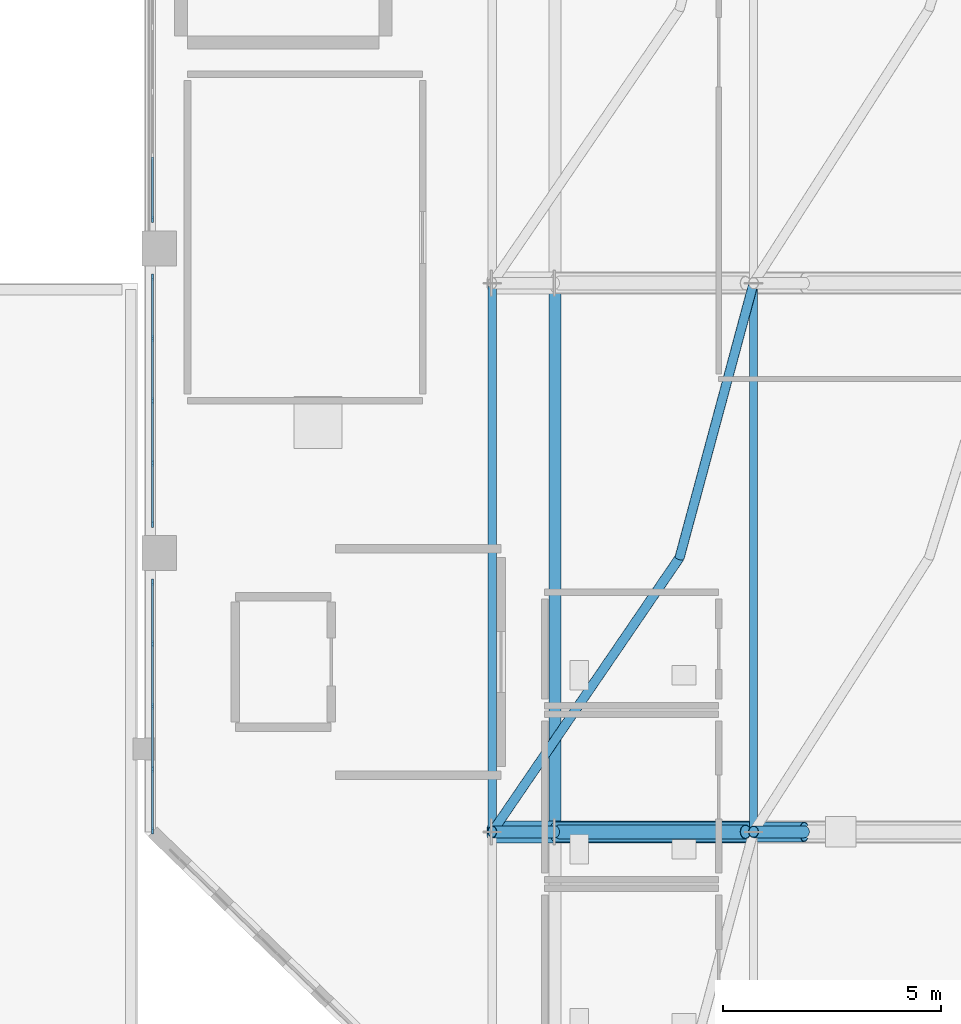
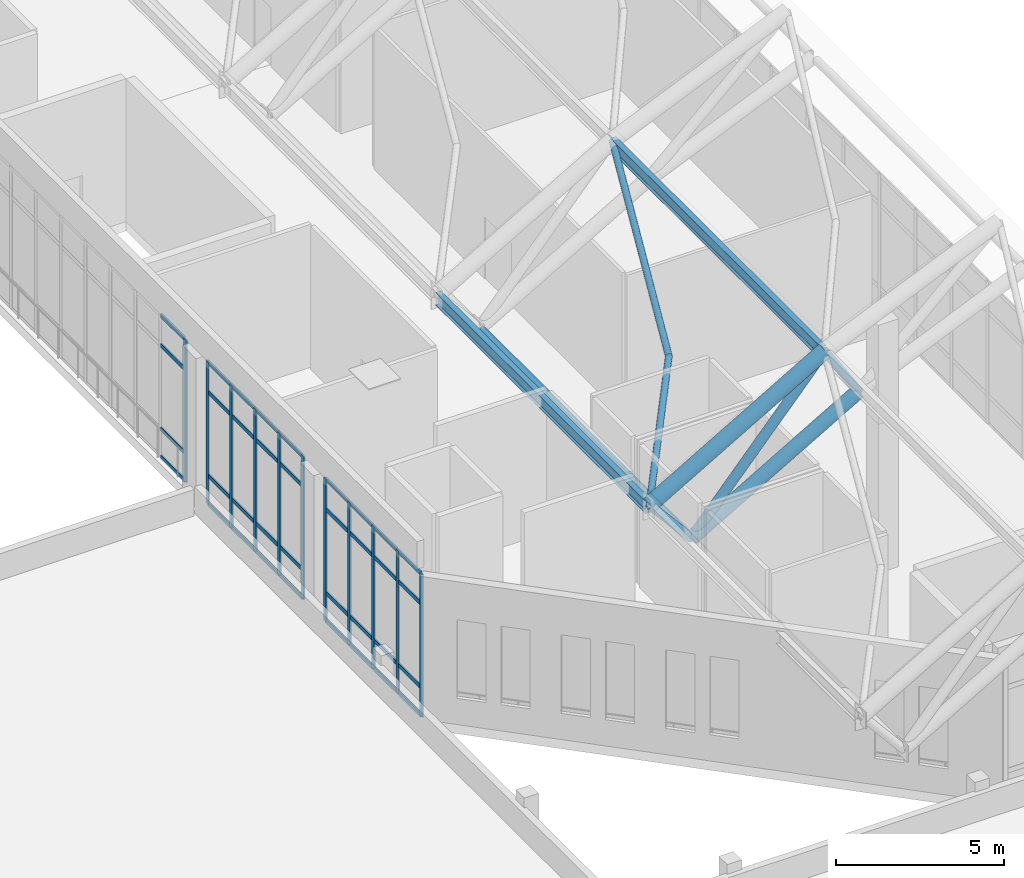
# One storey, part 5 of 42: 57 members, 3 elements without a shape of their own.
"""IFC4 building model written with IfcOpenShell, lengths in metres."""

from ifc_helpers import new_model, si_unit, derived_unit, direction, frame, origin, origin_2d, place, context, subcontext, project, spatial, rectangle, hollow_circle, i_section, extrude, material, layer, layer_set, material_profile, profile_set, type_object, element, aggregate, save


model = new_model("IFC4")

# Units and contexts
model_context = context("Model", 3, precision=1e-05, world=origin(), true_north=direction((0.0, 1.0)))
body_context = subcontext(model_context, "Body", "Model", "MODEL_VIEW")
ifc_project = project(units=[si_unit("LENGTHUNIT", "METRE"), si_unit("AREAUNIT", "SQUARE_METRE"), si_unit("VOLUMEUNIT", "CUBIC_METRE"), si_unit("PLANEANGLEUNIT", "RADIAN"), si_unit("MASSUNIT", "GRAM", prefix="KILO"), derived_unit("THERMALTRANSMITTANCEUNIT", [(si_unit("MASSUNIT", "GRAM", prefix="KILO"), 1), (si_unit("TIMEUNIT", "SECOND"), -3), (si_unit("THERMODYNAMICTEMPERATUREUNIT", "KELVIN"), -1)])], contexts=[model_context])

# Site, building, storey
site_placement = place(None, origin())
site = spatial("IfcSite", under=ifc_project, at=site_placement, CompositionType="ELEMENT")
building_placement = place(site_placement, origin())
building = spatial("IfcBuilding", under=site, at=building_placement, Name="Valcora Ridge Arena", CompositionType="ELEMENT")
storey_placement = place(building_placement, frame((0.0, 0.0, 26.39990234375)))
storey = spatial("IfcBuildingStorey", under=building, at=storey_placement, Name="L05", CompositionType="ELEMENT", Elevation=26.39990234375)

# Curtain wall, members
ifc_material_1 = material(Name="Anodised dark bronze architectural aluminium 6063-T6", Category="aluminium")
ifc_layer_1 = layer(ifc_material_1, 0.14990234375, Name="Anodised dark bronze architectural aluminium 6063-T6")
ifc_layer_set_1 = layer_set([ifc_layer_1], Name="Anodised dark bronze architectural aluminium 6063-T6")
curtain_wall_type_1 = type_object("IfcCurtainWallType", Name="TY-CURTAINWALL-CW-V1-SKY-058X52", PredefinedType="NOTDEFINED", material=ifc_layer_set_1)
curtain_wall_1_placement = place(storey_placement, origin())
curtain_wall_1 = element("IfcCurtainWall", 1, at=curtain_wall_1_placement, inside=storey, type_object=curtain_wall_type_1, Name="CW-V1-SKY-058X52 CW-0163", PredefinedType="NOTDEFINED")
ifc_material_profile_1 = material_profile(ifc_material_1, rectangle(XDim=0.050048828125, YDim=0.14990234375, at=origin_2d()), Name="ALU MULLION 50x150")
ifc_profile_set_1 = profile_set([ifc_material_profile_1], Name="Anodised dark bronze architectural aluminium 6063-T6")
member_type_1 = type_object("IfcMemberType", Name="TY-MEM-CWM-50x150", PredefinedType="MULLION", material=ifc_profile_set_1)
member_1_placement = place(storey_placement, frame((16.199951171875, 32.625, 0.0), z_axis=(0.0, 0.0, 1.0), x_axis=(-1.0, 0.0, 0.0)))
member_1 = element("IfcMember", 2, at=member_1_placement, type_object=member_type_1, Name="CW-0163/CWM-50x150/M00", PredefinedType="MULLION", context=body_context, shape_type="SweptSolid", body=[
    extrude(rectangle(XDim=0.050048828125, YDim=0.14990234375, at=origin_2d()), origin(), (0.0, 0.0, 1.0), 5.18017578125),
])
member_2_placement = place(storey_placement, frame((16.199951171875, 34.0400390625, 0.0), z_axis=(0.0, 0.0, 1.0), x_axis=(-1.0, 0.0, 0.0)))
member_2 = element("IfcMember", 3, at=member_2_placement, type_object=member_type_1, Name="CW-0163/CWM-50x150/M01", PredefinedType="MULLION", context=body_context, shape_type="SweptSolid", body=[
    extrude(rectangle(XDim=0.050048828125, YDim=0.14990234375, at=origin_2d()), origin(), (0.0, 0.0, 1.0), 5.18017578125),
])
member_3_placement = place(storey_placement, frame((16.199951171875, 35.47998046875, 0.0), z_axis=(0.0, 0.0, 1.0), x_axis=(-1.0, 0.0, 0.0)))
member_3 = element("IfcMember", 4, at=member_3_placement, type_object=member_type_1, Name="CW-0163/CWM-50x150/M02", PredefinedType="MULLION", context=body_context, shape_type="SweptSolid", body=[
    extrude(rectangle(XDim=0.050048828125, YDim=0.14990234375, at=origin_2d()), origin(), (0.0, 0.0, 1.0), 5.18017578125),
])
member_4_placement = place(storey_placement, frame((16.199951171875, 36.919921875, 0.0), z_axis=(0.0, 0.0, 1.0), x_axis=(-1.0, 0.0, 0.0)))
member_4 = element("IfcMember", 5, at=member_4_placement, type_object=member_type_1, Name="CW-0163/CWM-50x150/M03", PredefinedType="MULLION", context=body_context, shape_type="SweptSolid", body=[
    extrude(rectangle(XDim=0.050048828125, YDim=0.14990234375, at=origin_2d()), origin(), (0.0, 0.0, 1.0), 5.18017578125),
])
member_5_placement = place(storey_placement, frame((16.199951171875, 38.3349609375, 0.0), z_axis=(0.0, 0.0, 1.0), x_axis=(-1.0, 0.0, 0.0)))
member_5 = element("IfcMember", 6, at=member_5_placement, type_object=member_type_1, Name="CW-0163/CWM-50x150/M04", PredefinedType="MULLION", context=body_context, shape_type="SweptSolid", body=[
    extrude(rectangle(XDim=0.050048828125, YDim=0.14990234375, at=origin_2d()), origin(), (0.0, 0.0, 1.0), 5.18017578125),
])

ifc_layer_2 = layer(ifc_material_1, 0.14990234375, Name="Anodised dark bronze architectural aluminium 6063-T6")
ifc_layer_set_2 = layer_set([ifc_layer_2], Name="Anodised dark bronze architectural aluminium 6063-T6")
curtain_wall_type_2 = type_object("IfcCurtainWallType", Name="TY-CURTAINWALL-CW-V1-SKY-057X52", PredefinedType="NOTDEFINED", material=ifc_layer_set_2)
curtain_wall_2_placement = place(storey_placement, origin())
curtain_wall_2 = element("IfcCurtainWall", 7, at=curtain_wall_2_placement, inside=storey, type_object=curtain_wall_type_2, Name="CW-V1-SKY-057X52 CW-0164", PredefinedType="NOTDEFINED")
member_6_placement = place(storey_placement, frame((16.199951171875, 39.6650390625, 0.0), z_axis=(0.0, 0.0, 1.0), x_axis=(-1.0, 0.0, 0.0)))
member_6 = element("IfcMember", 8, at=member_6_placement, type_object=member_type_1, Name="CW-0164/CWM-50x150/M00", PredefinedType="MULLION", context=body_context, shape_type="SweptSolid", body=[
    extrude(rectangle(XDim=0.050048828125, YDim=0.14990234375, at=origin_2d()), origin(), (0.0, 0.0, 1.0), 5.18017578125),
])
member_7_placement = place(storey_placement, frame((16.199951171875, 41.070068359375, 0.0), z_axis=(0.0, 0.0, 1.0), x_axis=(-1.0, 0.0, 0.0)))
member_7 = element("IfcMember", 9, at=member_7_placement, type_object=member_type_1, Name="CW-0164/CWM-50x150/M01", PredefinedType="MULLION", context=body_context, shape_type="SweptSolid", body=[
    extrude(rectangle(XDim=0.050048828125, YDim=0.14990234375, at=origin_2d()), origin(), (0.0, 0.0, 1.0), 5.18017578125),
])
member_8_placement = place(storey_placement, frame((16.199951171875, 42.5, 0.0), z_axis=(0.0, 0.0, 1.0), x_axis=(-1.0, 0.0, 0.0)))
member_8 = element("IfcMember", 10, at=member_8_placement, type_object=member_type_1, Name="CW-0164/CWM-50x150/M02", PredefinedType="MULLION", context=body_context, shape_type="SweptSolid", body=[
    extrude(rectangle(XDim=0.050048828125, YDim=0.14990234375, at=origin_2d()), origin(), (0.0, 0.0, 1.0), 5.18017578125),
])
member_9_placement = place(storey_placement, frame((16.199951171875, 43.929931640625, 0.0), z_axis=(0.0, 0.0, 1.0), x_axis=(-1.0, 0.0, 0.0)))
member_9 = element("IfcMember", 11, at=member_9_placement, type_object=member_type_1, Name="CW-0164/CWM-50x150/M03", PredefinedType="MULLION", context=body_context, shape_type="SweptSolid", body=[
    extrude(rectangle(XDim=0.050048828125, YDim=0.14990234375, at=origin_2d()), origin(), (0.0, 0.0, 1.0), 5.18017578125),
])
member_10_placement = place(storey_placement, frame((16.199951171875, 45.3349609375, 0.0), z_axis=(0.0, 0.0, 1.0), x_axis=(-1.0, 0.0, 0.0)))
member_10 = element("IfcMember", 12, at=member_10_placement, type_object=member_type_1, Name="CW-0164/CWM-50x150/M04", PredefinedType="MULLION", context=body_context, shape_type="SweptSolid", body=[
    extrude(rectangle(XDim=0.050048828125, YDim=0.14990234375, at=origin_2d()), origin(), (0.0, 0.0, 1.0), 5.18017578125),
])

# Curtain wall, member
ifc_layer_3 = layer(ifc_material_1, 0.14990234375, Name="Anodised dark bronze architectural aluminium 6063-T6")
ifc_layer_set_3 = layer_set([ifc_layer_3], Name="Anodised dark bronze architectural aluminium 6063-T6")
curtain_wall_type_3 = type_object("IfcCurtainWallType", Name="TY-CURTAINWALL-CW-V1-SKY-207X52", PredefinedType="NOTDEFINED", material=ifc_layer_set_3)
curtain_wall_3_placement = place(storey_placement, origin())
curtain_wall_3 = element("IfcCurtainWall", 13, at=curtain_wall_3_placement, inside=storey, type_object=curtain_wall_type_3, Name="CW-V1-SKY-207X52 CW-0165", PredefinedType="NOTDEFINED")
member_11_placement = place(storey_placement, frame((16.199951171875, 46.6650390625, 0.0), z_axis=(0.0, 0.0, 1.0), x_axis=(-1.0, 0.0, 0.0)))
member_11 = element("IfcMember", 14, at=member_11_placement, type_object=member_type_1, Name="CW-0165/CWM-50x150/M00", PredefinedType="MULLION", context=body_context, shape_type="SweptSolid", body=[
    extrude(rectangle(XDim=0.050048828125, YDim=0.14990234375, at=origin_2d()), origin(), (0.0, 0.0, 1.0), 5.18017578125),
])

# Member
ifc_material_profile_2 = material_profile(ifc_material_1, rectangle(XDim=0.050048828125, YDim=0.14990234375, at=origin_2d()), Name="ALU TRANSOM 50x150")
ifc_profile_set_2 = profile_set([ifc_material_profile_2], Name="Anodised dark bronze architectural aluminium 6063-T6")
member_type_2 = type_object("IfcMemberType", Name="TY-MEM-CWT-50x150", PredefinedType="USERDEFINED", material=ifc_profile_set_2)
member_12_placement = place(storey_placement, frame((16.199951171875, 32.64990234375, 0.025146484375), z_axis=(0.0, 1.0, 0.0), x_axis=(-1.0, 0.0, 0.0)))
member_12 = element("IfcMember", 15, at=member_12_placement, type_object=member_type_2, Name="CW-0163/CWT-50x150/T00-00", ObjectType="TRANSOM", PredefinedType="USERDEFINED", context=body_context, shape_type="SweptSolid", body=[
    extrude(rectangle(XDim=0.050048828125, YDim=0.14990234375, at=origin_2d()), origin(), (0.0, 0.0, 1.0), 1.364990234375),
])

member_13_placement = place(storey_placement, frame((16.199951171875, 32.64990234375, 1.050048828125), z_axis=(0.0, 1.0, 0.0), x_axis=(-1.0, 0.0, 0.0)))
member_13 = element("IfcMember", 16, at=member_13_placement, type_object=member_type_2, Name="CW-0163/CWT-50x150/T00-01", ObjectType="TRANSOM", PredefinedType="USERDEFINED", context=body_context, shape_type="SweptSolid", body=[
    extrude(rectangle(XDim=0.050048828125, YDim=0.14990234375, at=origin_2d()), origin(), (0.0, 0.0, 1.0), 1.364990234375),
])

member_14_placement = place(storey_placement, frame((16.199951171875, 32.64990234375, 4.080078125), z_axis=(0.0, 1.0, 0.0), x_axis=(-1.0, 0.0, 0.0)))
member_14 = element("IfcMember", 17, at=member_14_placement, type_object=member_type_2, Name="CW-0163/CWT-50x150/T00-02", ObjectType="TRANSOM", PredefinedType="USERDEFINED", context=body_context, shape_type="SweptSolid", body=[
    extrude(rectangle(XDim=0.050048828125, YDim=0.14990234375, at=origin_2d()), origin(), (0.0, 0.0, 1.0), 1.364990234375),
])

member_15_placement = place(storey_placement, frame((16.199951171875, 32.64990234375, 5.155029296875), z_axis=(0.0, 1.0, 0.0), x_axis=(-1.0, 0.0, 0.0)))
member_15 = element("IfcMember", 18, at=member_15_placement, type_object=member_type_2, Name="CW-0163/CWT-50x150/T00-03", ObjectType="TRANSOM", PredefinedType="USERDEFINED", context=body_context, shape_type="SweptSolid", body=[
    extrude(rectangle(XDim=0.050048828125, YDim=0.14990234375, at=origin_2d()), origin(), (0.0, 0.0, 1.0), 1.364990234375),
])

member_16_placement = place(storey_placement, frame((16.199951171875, 34.06494140625, 0.025146484375), z_axis=(0.0, 1.0, 0.0), x_axis=(-1.0, 0.0, 0.0)))
member_16 = element("IfcMember", 19, at=member_16_placement, type_object=member_type_2, Name="CW-0163/CWT-50x150/T01-00", ObjectType="TRANSOM", PredefinedType="USERDEFINED", context=body_context, shape_type="SweptSolid", body=[
    extrude(rectangle(XDim=0.050048828125, YDim=0.14990234375, at=origin_2d()), origin(), (0.0, 0.0, 1.0), 1.39013671875),
])

member_17_placement = place(storey_placement, frame((16.199951171875, 34.06494140625, 1.050048828125), z_axis=(0.0, 1.0, 0.0), x_axis=(-1.0, 0.0, 0.0)))
member_17 = element("IfcMember", 20, at=member_17_placement, type_object=member_type_2, Name="CW-0163/CWT-50x150/T01-01", ObjectType="TRANSOM", PredefinedType="USERDEFINED", context=body_context, shape_type="SweptSolid", body=[
    extrude(rectangle(XDim=0.050048828125, YDim=0.14990234375, at=origin_2d()), origin(), (0.0, 0.0, 1.0), 1.39013671875),
])

member_18_placement = place(storey_placement, frame((16.199951171875, 34.06494140625, 4.080078125), z_axis=(0.0, 1.0, 0.0), x_axis=(-1.0, 0.0, 0.0)))
member_18 = element("IfcMember", 21, at=member_18_placement, type_object=member_type_2, Name="CW-0163/CWT-50x150/T01-02", ObjectType="TRANSOM", PredefinedType="USERDEFINED", context=body_context, shape_type="SweptSolid", body=[
    extrude(rectangle(XDim=0.050048828125, YDim=0.14990234375, at=origin_2d()), origin(), (0.0, 0.0, 1.0), 1.39013671875),
])

member_19_placement = place(storey_placement, frame((16.199951171875, 34.06494140625, 5.155029296875), z_axis=(0.0, 1.0, 0.0), x_axis=(-1.0, 0.0, 0.0)))
member_19 = element("IfcMember", 22, at=member_19_placement, type_object=member_type_2, Name="CW-0163/CWT-50x150/T01-03", ObjectType="TRANSOM", PredefinedType="USERDEFINED", context=body_context, shape_type="SweptSolid", body=[
    extrude(rectangle(XDim=0.050048828125, YDim=0.14990234375, at=origin_2d()), origin(), (0.0, 0.0, 1.0), 1.39013671875),
])

member_20_placement = place(storey_placement, frame((16.199951171875, 35.5048828125, 0.025146484375), z_axis=(0.0, 1.0, 0.0), x_axis=(-1.0, 0.0, 0.0)))
member_20 = element("IfcMember", 23, at=member_20_placement, type_object=member_type_2, Name="CW-0163/CWT-50x150/T02-00", ObjectType="TRANSOM", PredefinedType="USERDEFINED", context=body_context, shape_type="SweptSolid", body=[
    extrude(rectangle(XDim=0.050048828125, YDim=0.14990234375, at=origin_2d()), origin(), (0.0, 0.0, 1.0), 1.39013671875),
])

member_21_placement = place(storey_placement, frame((16.199951171875, 35.5048828125, 1.050048828125), z_axis=(0.0, 1.0, 0.0), x_axis=(-1.0, 0.0, 0.0)))
member_21 = element("IfcMember", 24, at=member_21_placement, type_object=member_type_2, Name="CW-0163/CWT-50x150/T02-01", ObjectType="TRANSOM", PredefinedType="USERDEFINED", context=body_context, shape_type="SweptSolid", body=[
    extrude(rectangle(XDim=0.050048828125, YDim=0.14990234375, at=origin_2d()), origin(), (0.0, 0.0, 1.0), 1.39013671875),
])

member_22_placement = place(storey_placement, frame((16.199951171875, 35.5048828125, 4.080078125), z_axis=(0.0, 1.0, 0.0), x_axis=(-1.0, 0.0, 0.0)))
member_22 = element("IfcMember", 25, at=member_22_placement, type_object=member_type_2, Name="CW-0163/CWT-50x150/T02-02", ObjectType="TRANSOM", PredefinedType="USERDEFINED", context=body_context, shape_type="SweptSolid", body=[
    extrude(rectangle(XDim=0.050048828125, YDim=0.14990234375, at=origin_2d()), origin(), (0.0, 0.0, 1.0), 1.39013671875),
])

member_23_placement = place(storey_placement, frame((16.199951171875, 35.5048828125, 5.155029296875), z_axis=(0.0, 1.0, 0.0), x_axis=(-1.0, 0.0, 0.0)))
member_23 = element("IfcMember", 26, at=member_23_placement, type_object=member_type_2, Name="CW-0163/CWT-50x150/T02-03", ObjectType="TRANSOM", PredefinedType="USERDEFINED", context=body_context, shape_type="SweptSolid", body=[
    extrude(rectangle(XDim=0.050048828125, YDim=0.14990234375, at=origin_2d()), origin(), (0.0, 0.0, 1.0), 1.39013671875),
])

member_24_placement = place(storey_placement, frame((16.199951171875, 36.945068359375, 0.025146484375), z_axis=(0.0, 1.0, 0.0), x_axis=(-1.0, 0.0, 0.0)))
member_24 = element("IfcMember", 27, at=member_24_placement, type_object=member_type_2, Name="CW-0163/CWT-50x150/T03-00", ObjectType="TRANSOM", PredefinedType="USERDEFINED", context=body_context, shape_type="SweptSolid", body=[
    extrude(rectangle(XDim=0.050048828125, YDim=0.14990234375, at=origin_2d()), origin(), (0.0, 0.0, 1.0), 1.364990234375),
])

member_25_placement = place(storey_placement, frame((16.199951171875, 36.945068359375, 1.050048828125), z_axis=(0.0, 1.0, 0.0), x_axis=(-1.0, 0.0, 0.0)))
member_25 = element("IfcMember", 28, at=member_25_placement, type_object=member_type_2, Name="CW-0163/CWT-50x150/T03-01", ObjectType="TRANSOM", PredefinedType="USERDEFINED", context=body_context, shape_type="SweptSolid", body=[
    extrude(rectangle(XDim=0.050048828125, YDim=0.14990234375, at=origin_2d()), origin(), (0.0, 0.0, 1.0), 1.364990234375),
])

member_26_placement = place(storey_placement, frame((16.199951171875, 36.945068359375, 4.080078125), z_axis=(0.0, 1.0, 0.0), x_axis=(-1.0, 0.0, 0.0)))
member_26 = element("IfcMember", 29, at=member_26_placement, type_object=member_type_2, Name="CW-0163/CWT-50x150/T03-02", ObjectType="TRANSOM", PredefinedType="USERDEFINED", context=body_context, shape_type="SweptSolid", body=[
    extrude(rectangle(XDim=0.050048828125, YDim=0.14990234375, at=origin_2d()), origin(), (0.0, 0.0, 1.0), 1.364990234375),
])

member_27_placement = place(storey_placement, frame((16.199951171875, 36.945068359375, 5.155029296875), z_axis=(0.0, 1.0, 0.0), x_axis=(-1.0, 0.0, 0.0)))
member_27 = element("IfcMember", 30, at=member_27_placement, type_object=member_type_2, Name="CW-0163/CWT-50x150/T03-03", ObjectType="TRANSOM", PredefinedType="USERDEFINED", context=body_context, shape_type="SweptSolid", body=[
    extrude(rectangle(XDim=0.050048828125, YDim=0.14990234375, at=origin_2d()), origin(), (0.0, 0.0, 1.0), 1.364990234375),
])

aggregate(curtain_wall_1, [member_1, member_2, member_3, member_4, member_5, member_12, member_13, member_14, member_15, member_16, member_17, member_18, member_19, member_20, member_21, member_22, member_23, member_24, member_25, member_26, member_27])

member_28_placement = place(storey_placement, frame((16.199951171875, 39.68994140625, 0.025146484375), z_axis=(0.0, 1.0, 0.0), x_axis=(-1.0, 0.0, 0.0)))
member_28 = element("IfcMember", 31, at=member_28_placement, type_object=member_type_2, Name="CW-0164/CWT-50x150/T00-00", ObjectType="TRANSOM", PredefinedType="USERDEFINED", context=body_context, shape_type="SweptSolid", body=[
    extrude(rectangle(XDim=0.050048828125, YDim=0.14990234375, at=origin_2d()), origin(), (0.0, 0.0, 1.0), 1.35498046875),
])

member_29_placement = place(storey_placement, frame((16.199951171875, 39.68994140625, 1.050048828125), z_axis=(0.0, 1.0, 0.0), x_axis=(-1.0, 0.0, 0.0)))
member_29 = element("IfcMember", 32, at=member_29_placement, type_object=member_type_2, Name="CW-0164/CWT-50x150/T00-01", ObjectType="TRANSOM", PredefinedType="USERDEFINED", context=body_context, shape_type="SweptSolid", body=[
    extrude(rectangle(XDim=0.050048828125, YDim=0.14990234375, at=origin_2d()), origin(), (0.0, 0.0, 1.0), 1.35498046875),
])

member_30_placement = place(storey_placement, frame((16.199951171875, 39.68994140625, 4.080078125), z_axis=(0.0, 1.0, 0.0), x_axis=(-1.0, 0.0, 0.0)))
member_30 = element("IfcMember", 33, at=member_30_placement, type_object=member_type_2, Name="CW-0164/CWT-50x150/T00-02", ObjectType="TRANSOM", PredefinedType="USERDEFINED", context=body_context, shape_type="SweptSolid", body=[
    extrude(rectangle(XDim=0.050048828125, YDim=0.14990234375, at=origin_2d()), origin(), (0.0, 0.0, 1.0), 1.35498046875),
])

member_31_placement = place(storey_placement, frame((16.199951171875, 39.68994140625, 5.155029296875), z_axis=(0.0, 1.0, 0.0), x_axis=(-1.0, 0.0, 0.0)))
member_31 = element("IfcMember", 34, at=member_31_placement, type_object=member_type_2, Name="CW-0164/CWT-50x150/T00-03", ObjectType="TRANSOM", PredefinedType="USERDEFINED", context=body_context, shape_type="SweptSolid", body=[
    extrude(rectangle(XDim=0.050048828125, YDim=0.14990234375, at=origin_2d()), origin(), (0.0, 0.0, 1.0), 1.35498046875),
])

member_32_placement = place(storey_placement, frame((16.199951171875, 41.094970703125, 0.025146484375), z_axis=(0.0, 1.0, 0.0), x_axis=(-1.0, 0.0, 0.0)))
member_32 = element("IfcMember", 35, at=member_32_placement, type_object=member_type_2, Name="CW-0164/CWT-50x150/T01-00", ObjectType="TRANSOM", PredefinedType="USERDEFINED", context=body_context, shape_type="SweptSolid", body=[
    extrude(rectangle(XDim=0.050048828125, YDim=0.14990234375, at=origin_2d()), origin(), (0.0, 0.0, 1.0), 1.380126953125),
])

member_33_placement = place(storey_placement, frame((16.199951171875, 41.094970703125, 1.050048828125), z_axis=(0.0, 1.0, 0.0), x_axis=(-1.0, 0.0, 0.0)))
member_33 = element("IfcMember", 36, at=member_33_placement, type_object=member_type_2, Name="CW-0164/CWT-50x150/T01-01", ObjectType="TRANSOM", PredefinedType="USERDEFINED", context=body_context, shape_type="SweptSolid", body=[
    extrude(rectangle(XDim=0.050048828125, YDim=0.14990234375, at=origin_2d()), origin(), (0.0, 0.0, 1.0), 1.380126953125),
])

member_34_placement = place(storey_placement, frame((16.199951171875, 41.094970703125, 4.080078125), z_axis=(0.0, 1.0, 0.0), x_axis=(-1.0, 0.0, 0.0)))
member_34 = element("IfcMember", 37, at=member_34_placement, type_object=member_type_2, Name="CW-0164/CWT-50x150/T01-02", ObjectType="TRANSOM", PredefinedType="USERDEFINED", context=body_context, shape_type="SweptSolid", body=[
    extrude(rectangle(XDim=0.050048828125, YDim=0.14990234375, at=origin_2d()), origin(), (0.0, 0.0, 1.0), 1.380126953125),
])

member_35_placement = place(storey_placement, frame((16.199951171875, 41.094970703125, 5.155029296875), z_axis=(0.0, 1.0, 0.0), x_axis=(-1.0, 0.0, 0.0)))
member_35 = element("IfcMember", 38, at=member_35_placement, type_object=member_type_2, Name="CW-0164/CWT-50x150/T01-03", ObjectType="TRANSOM", PredefinedType="USERDEFINED", context=body_context, shape_type="SweptSolid", body=[
    extrude(rectangle(XDim=0.050048828125, YDim=0.14990234375, at=origin_2d()), origin(), (0.0, 0.0, 1.0), 1.380126953125),
])

member_36_placement = place(storey_placement, frame((16.199951171875, 42.52490234375, 0.025146484375), z_axis=(0.0, 1.0, 0.0), x_axis=(-1.0, 0.0, 0.0)))
member_36 = element("IfcMember", 39, at=member_36_placement, type_object=member_type_2, Name="CW-0164/CWT-50x150/T02-00", ObjectType="TRANSOM", PredefinedType="USERDEFINED", context=body_context, shape_type="SweptSolid", body=[
    extrude(rectangle(XDim=0.050048828125, YDim=0.14990234375, at=origin_2d()), origin(), (0.0, 0.0, 1.0), 1.380126953125),
])

member_37_placement = place(storey_placement, frame((16.199951171875, 42.52490234375, 1.050048828125), z_axis=(0.0, 1.0, 0.0), x_axis=(-1.0, 0.0, 0.0)))
member_37 = element("IfcMember", 40, at=member_37_placement, type_object=member_type_2, Name="CW-0164/CWT-50x150/T02-01", ObjectType="TRANSOM", PredefinedType="USERDEFINED", context=body_context, shape_type="SweptSolid", body=[
    extrude(rectangle(XDim=0.050048828125, YDim=0.14990234375, at=origin_2d()), origin(), (0.0, 0.0, 1.0), 1.380126953125),
])

member_38_placement = place(storey_placement, frame((16.199951171875, 42.52490234375, 4.080078125), z_axis=(0.0, 1.0, 0.0), x_axis=(-1.0, 0.0, 0.0)))
member_38 = element("IfcMember", 41, at=member_38_placement, type_object=member_type_2, Name="CW-0164/CWT-50x150/T02-02", ObjectType="TRANSOM", PredefinedType="USERDEFINED", context=body_context, shape_type="SweptSolid", body=[
    extrude(rectangle(XDim=0.050048828125, YDim=0.14990234375, at=origin_2d()), origin(), (0.0, 0.0, 1.0), 1.380126953125),
])

member_39_placement = place(storey_placement, frame((16.199951171875, 42.52490234375, 5.155029296875), z_axis=(0.0, 1.0, 0.0), x_axis=(-1.0, 0.0, 0.0)))
member_39 = element("IfcMember", 42, at=member_39_placement, type_object=member_type_2, Name="CW-0164/CWT-50x150/T02-03", ObjectType="TRANSOM", PredefinedType="USERDEFINED", context=body_context, shape_type="SweptSolid", body=[
    extrude(rectangle(XDim=0.050048828125, YDim=0.14990234375, at=origin_2d()), origin(), (0.0, 0.0, 1.0), 1.380126953125),
])

member_40_placement = place(storey_placement, frame((16.199951171875, 43.955078125, 0.025146484375), z_axis=(0.0, 1.0, 0.0), x_axis=(-1.0, 0.0, 0.0)))
member_40 = element("IfcMember", 43, at=member_40_placement, type_object=member_type_2, Name="CW-0164/CWT-50x150/T03-00", ObjectType="TRANSOM", PredefinedType="USERDEFINED", context=body_context, shape_type="SweptSolid", body=[
    extrude(rectangle(XDim=0.050048828125, YDim=0.14990234375, at=origin_2d()), origin(), (0.0, 0.0, 1.0), 1.35498046875),
])

member_41_placement = place(storey_placement, frame((16.199951171875, 43.955078125, 1.050048828125), z_axis=(0.0, 1.0, 0.0), x_axis=(-1.0, 0.0, 0.0)))
member_41 = element("IfcMember", 44, at=member_41_placement, type_object=member_type_2, Name="CW-0164/CWT-50x150/T03-01", ObjectType="TRANSOM", PredefinedType="USERDEFINED", context=body_context, shape_type="SweptSolid", body=[
    extrude(rectangle(XDim=0.050048828125, YDim=0.14990234375, at=origin_2d()), origin(), (0.0, 0.0, 1.0), 1.35498046875),
])

member_42_placement = place(storey_placement, frame((16.199951171875, 43.955078125, 4.080078125), z_axis=(0.0, 1.0, 0.0), x_axis=(-1.0, 0.0, 0.0)))
member_42 = element("IfcMember", 45, at=member_42_placement, type_object=member_type_2, Name="CW-0164/CWT-50x150/T03-02", ObjectType="TRANSOM", PredefinedType="USERDEFINED", context=body_context, shape_type="SweptSolid", body=[
    extrude(rectangle(XDim=0.050048828125, YDim=0.14990234375, at=origin_2d()), origin(), (0.0, 0.0, 1.0), 1.35498046875),
])

member_43_placement = place(storey_placement, frame((16.199951171875, 43.955078125, 5.155029296875), z_axis=(0.0, 1.0, 0.0), x_axis=(-1.0, 0.0, 0.0)))
member_43 = element("IfcMember", 46, at=member_43_placement, type_object=member_type_2, Name="CW-0164/CWT-50x150/T03-03", ObjectType="TRANSOM", PredefinedType="USERDEFINED", context=body_context, shape_type="SweptSolid", body=[
    extrude(rectangle(XDim=0.050048828125, YDim=0.14990234375, at=origin_2d()), origin(), (0.0, 0.0, 1.0), 1.35498046875),
])

aggregate(curtain_wall_2, [member_6, member_7, member_8, member_9, member_10, member_28, member_29, member_30, member_31, member_32, member_33, member_34, member_35, member_36, member_37, member_38, member_39, member_40, member_41, member_42, member_43])

member_44_placement = place(storey_placement, frame((16.199951171875, 46.68994140625, 0.025146484375), z_axis=(0.0, 1.0, 0.0), x_axis=(-1.0, 0.0, 0.0)))
member_44 = element("IfcMember", 47, at=member_44_placement, type_object=member_type_2, Name="CW-0165/CWT-50x150/T00-00", ObjectType="TRANSOM", PredefinedType="USERDEFINED", context=body_context, shape_type="SweptSolid", body=[
    extrude(rectangle(XDim=0.050048828125, YDim=0.14990234375, at=origin_2d()), origin(), (0.0, 0.0, 1.0), 1.405029296875),
])

member_45_placement = place(storey_placement, frame((16.199951171875, 46.68994140625, 1.050048828125), z_axis=(0.0, 1.0, 0.0), x_axis=(-1.0, 0.0, 0.0)))
member_45 = element("IfcMember", 48, at=member_45_placement, type_object=member_type_2, Name="CW-0165/CWT-50x150/T00-01", ObjectType="TRANSOM", PredefinedType="USERDEFINED", context=body_context, shape_type="SweptSolid", body=[
    extrude(rectangle(XDim=0.050048828125, YDim=0.14990234375, at=origin_2d()), origin(), (0.0, 0.0, 1.0), 1.405029296875),
])

member_46_placement = place(storey_placement, frame((16.199951171875, 46.68994140625, 4.080078125), z_axis=(0.0, 1.0, 0.0), x_axis=(-1.0, 0.0, 0.0)))
member_46 = element("IfcMember", 49, at=member_46_placement, type_object=member_type_2, Name="CW-0165/CWT-50x150/T00-02", ObjectType="TRANSOM", PredefinedType="USERDEFINED", context=body_context, shape_type="SweptSolid", body=[
    extrude(rectangle(XDim=0.050048828125, YDim=0.14990234375, at=origin_2d()), origin(), (0.0, 0.0, 1.0), 1.405029296875),
])

member_47_placement = place(storey_placement, frame((16.199951171875, 46.68994140625, 5.155029296875), z_axis=(0.0, 1.0, 0.0), x_axis=(-1.0, 0.0, 0.0)))
member_47 = element("IfcMember", 50, at=member_47_placement, type_object=member_type_2, Name="CW-0165/CWT-50x150/T00-03", ObjectType="TRANSOM", PredefinedType="USERDEFINED", context=body_context, shape_type="SweptSolid", body=[
    extrude(rectangle(XDim=0.050048828125, YDim=0.14990234375, at=origin_2d()), origin(), (0.0, 0.0, 1.0), 1.405029296875),
])

aggregate(curtain_wall_3, [member_11, member_44, member_45, member_46, member_47])

# Members
ifc_material_2 = material(Name="Steel ASTM A572 Grade 50", Category="steel")
ifc_material_profile_3 = material_profile(ifc_material_2, i_section(OverallWidth=0.18994140625, OverallDepth=0.45703125, WebThickness=0.009033203125, FlangeThickness=0.014404296875, FilletRadius=0.014892578125, at=origin_2d()), Name="W18X50")
ifc_profile_set_3 = profile_set([ifc_material_profile_3], Name="Steel ASTM A572 Grade 50")
member_type_3 = type_object("IfcMemberType", Name="TY-MEMBER-PUR-W18X50", PredefinedType="PURLIN", material=ifc_profile_set_3)
for number, where, z_axis, x_axis, name in (
    (51, (24.0, 32.64990234375, 4.845703125), (0.0, 1.0, 0.0), (-1.0, 0.0, 0.0), "PUR-W18X50 SF-PR-PUR-W18X50-0013"),
    (52, (30.0, 32.64990234375, 8.342529296875), (0.0, 1.0, 0.0), (-1.0, 0.0, 0.0), "PUR-W18X50 SF-PR-PUR-W18X50-0014"),
):
    element("IfcMember", number, at=place(storey_placement, frame(where, z_axis=z_axis, x_axis=x_axis)), inside=storey, type_object=member_type_3, Name=name, PredefinedType="PURLIN", context=body_context, shape_type="SweptSolid", body=[
        extrude(i_section(OverallWidth=0.18994140625, OverallDepth=0.45703125, WebThickness=0.009033203125, FlangeThickness=0.014404296875, FilletRadius=0.014892578125, at=origin_2d()), origin(), (0.0, 0.0, 1.0), 12.5),
    ])
ifc_material_3 = material(Name="Steel ASTM A500 Grade C", Category="steel")
ifc_material_profile_4 = material_profile(ifc_material_3, hollow_circle(Radius=0.228515625, WallThickness=0.01611328125, at=origin_2d()), Name="CHS457X16")
ifc_profile_set_4 = profile_set([ifc_material_profile_4], Name="Steel ASTM A500 Grade C")
member_type_4 = type_object("IfcMemberType", Name="TY-MEMBER-SFBC-457", PredefinedType="CHORD", material=ifc_profile_set_4)
member_48_placement = place(storey_placement, frame((25.438232421875, 32.60009765625, 3.234130859375), z_axis=(0.864898384633, 0.0, 0.501946993476), x_axis=(0.0, 1.0, 0.0)))
element("IfcMember", 53, at=member_48_placement, inside=storey, type_object=member_type_4, Name="SFBC-457 Space Frame Bottom Chord", PredefinedType="CHORD", context=body_context, shape_type="SweptSolid", body=[
    extrude(hollow_circle(Radius=0.228515625, WallThickness=0.01611328125, at=origin_2d()), origin(), (0.0, 0.0, 1.0), 6.62353515625),
])
ifc_material_profile_5 = material_profile(ifc_material_3, hollow_circle(Radius=0.136474609375, WallThickness=0.012451171875, at=origin_2d()), Name="CHS273X12")
ifc_profile_set_5 = profile_set([ifc_material_profile_5], Name="Steel ASTM A500 Grade C")
member_type_5 = type_object("IfcMemberType", Name="TY-MEMBER-SFBT-273", PredefinedType="STRUT", material=ifc_profile_set_5)
member_49_placement = place(storey_placement, frame((25.438232421875, 32.780029296875, 3.234130859375), z_axis=(0.0, 1.0, 0.0), x_axis=(-1.0, 0.0, 0.0)))
element("IfcMember", 54, at=member_49_placement, inside=storey, type_object=member_type_5, Name="SFBT-273 Space Frame Bottom Strut", PredefinedType="STRUT", context=body_context, shape_type="SweptSolid", body=[
    extrude(hollow_circle(Radius=0.136474609375, WallThickness=0.012451171875, at=origin_2d()), origin(), (0.0, 0.0, 1.0), 12.239990234375),
])
ifc_material_profile_6 = material_profile(ifc_material_3, hollow_circle(Radius=0.136474609375, WallThickness=0.012451171875, at=origin_2d()), Name="CHS273X12")
ifc_profile_set_6 = profile_set([ifc_material_profile_6], Name="Steel ASTM A500 Grade C")
member_type_6 = type_object("IfcMemberType", Name="TY-MEMBER-SFKP-273", PredefinedType="POST", material=ifc_profile_set_6)
member_50_placement = place(storey_placement, frame((25.438232421875, 32.60009765625, 3.234130859375), z_axis=(-0.642337596391, 0.0, 0.766421823974), x_axis=(0.0, -1.0, 0.0)))
element("IfcMember", 55, at=member_50_placement, inside=storey, type_object=member_type_6, Name="SFKP-273 Space Frame King Post", PredefinedType="POST", context=body_context, shape_type="SweptSolid", body=[
    extrude(hollow_circle(Radius=0.136474609375, WallThickness=0.012451171875, at=origin_2d()), origin(), (0.0, 0.0, 1.0), 2.239013671875),
])
member_51_placement = place(storey_placement, frame((31.1669921875, 32.60009765625, 6.558837890625), z_axis=(-0.528755468485, 0.0, 0.848774207047), x_axis=(0.0, -1.0, 0.0)))
element("IfcMember", 56, at=member_51_placement, inside=storey, type_object=member_type_6, Name="SFKP-273 Space Frame King Post", PredefinedType="POST", context=body_context, shape_type="SweptSolid", body=[
    extrude(hollow_circle(Radius=0.136474609375, WallThickness=0.012451171875, at=origin_2d()), origin(), (0.0, 0.0, 1.0), 2.20703125),
])
ifc_material_profile_7 = material_profile(ifc_material_3, hollow_circle(Radius=0.109619140625, WallThickness=0.010009765625, at=origin_2d()), Name="CHS219X10")
ifc_profile_set_7 = profile_set([ifc_material_profile_7], Name="Steel ASTM A500 Grade C")
member_type_7 = type_object("IfcMemberType", Name="TY-MEMBER-SFST-219", PredefinedType="STRUT", material=ifc_profile_set_7)
member_52_placement = place(storey_placement, frame((28.302734375, 38.89990234375, 5.01220703125), z_axis=(-0.563981338488, -0.825747529411, -0.008128192236), x_axis=(0.825774808304, -0.563999969832, 0.0)))
element("IfcMember", 57, at=member_52_placement, inside=storey, type_object=member_type_7, Name="SFST-219 Space Frame Tie Strut", PredefinedType="STRUT", context=body_context, shape_type="SweptSolid", body=[
    extrude(hollow_circle(Radius=0.109619140625, WallThickness=0.010009765625, at=origin_2d()), origin(), (0.0, 0.0, 1.0), 7.629150390625),
])
member_53_placement = place(storey_placement, frame((28.302734375, 38.89990234375, 5.01220703125), z_axis=(0.230399293261, 0.855214868037, 0.464245296317), x_axis=(-0.965573476233, 0.260130471101, 0.0)))
element("IfcMember", 58, at=member_53_placement, inside=storey, type_object=member_type_7, Name="SFST-219 Space Frame Tie Strut", PredefinedType="STRUT", context=body_context, shape_type="SweptSolid", body=[
    extrude(hollow_circle(Radius=0.109619140625, WallThickness=0.010009765625, at=origin_2d()), origin(), (0.0, 0.0, 1.0), 7.36669921875),
])
ifc_material_profile_8 = material_profile(ifc_material_3, hollow_circle(Radius=0.25390625, WallThickness=0.01611328125, at=origin_2d()), Name="CHS508X16")
ifc_profile_set_8 = profile_set([ifc_material_profile_8], Name="Steel ASTM A500 Grade C")
member_type_8 = type_object("IfcMemberType", Name="TY-MEMBER-SFTC-508", PredefinedType="CHORD", material=ifc_profile_set_8)
member_54_placement = place(storey_placement, frame((24.0, 32.60009765625, 4.9501953125), z_axis=(0.864910194439, 0.0, 0.501926643599), x_axis=(0.0, 1.0, 0.0)))
element("IfcMember", 59, at=member_54_placement, inside=storey, type_object=member_type_8, Name="SFTC-508 Space Frame Top Chord", PredefinedType="CHORD", context=body_context, shape_type="SweptSolid", body=[
    extrude(hollow_circle(Radius=0.25390625, WallThickness=0.01611328125, at=origin_2d()), origin(), (0.0, 0.0, 1.0), 6.937255859375),
])
ifc_material_profile_9 = material_profile(ifc_material_3, hollow_circle(Radius=0.161865234375, WallThickness=0.012451171875, at=origin_2d()), Name="CHS323X12")
ifc_profile_set_9 = profile_set([ifc_material_profile_9], Name="Steel ASTM A500 Grade C")
member_type_9 = type_object("IfcMemberType", Name="TY-MEMBER-SFWB-323", PredefinedType="BRACE", material=ifc_profile_set_9)
member_55_placement = place(storey_placement, frame((25.543701171875, 32.60009765625, 3.3544921875), z_axis=(0.659614231512, 0.0, 0.751604327813), x_axis=(0.0, 1.0, 0.0)))
element("IfcMember", 60, at=member_55_placement, inside=storey, type_object=member_type_9, Name="SFWB-323 Space Frame Diagonal Brace", PredefinedType="BRACE", context=body_context, shape_type="SweptSolid", body=[
    extrude(hollow_circle(Radius=0.161865234375, WallThickness=0.012451171875, at=origin_2d()), origin(), (0.0, 0.0, 1.0), 6.475830078125),
])

save(model, "model.ifc")
